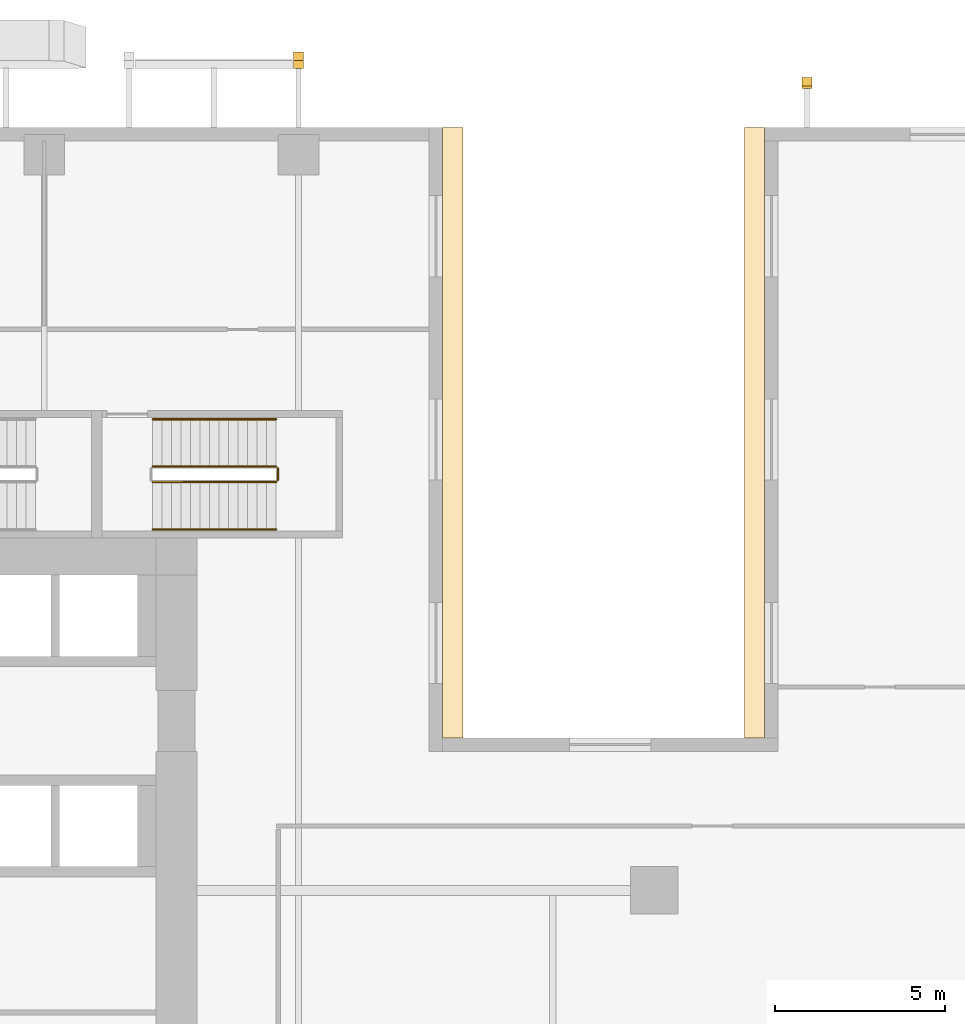
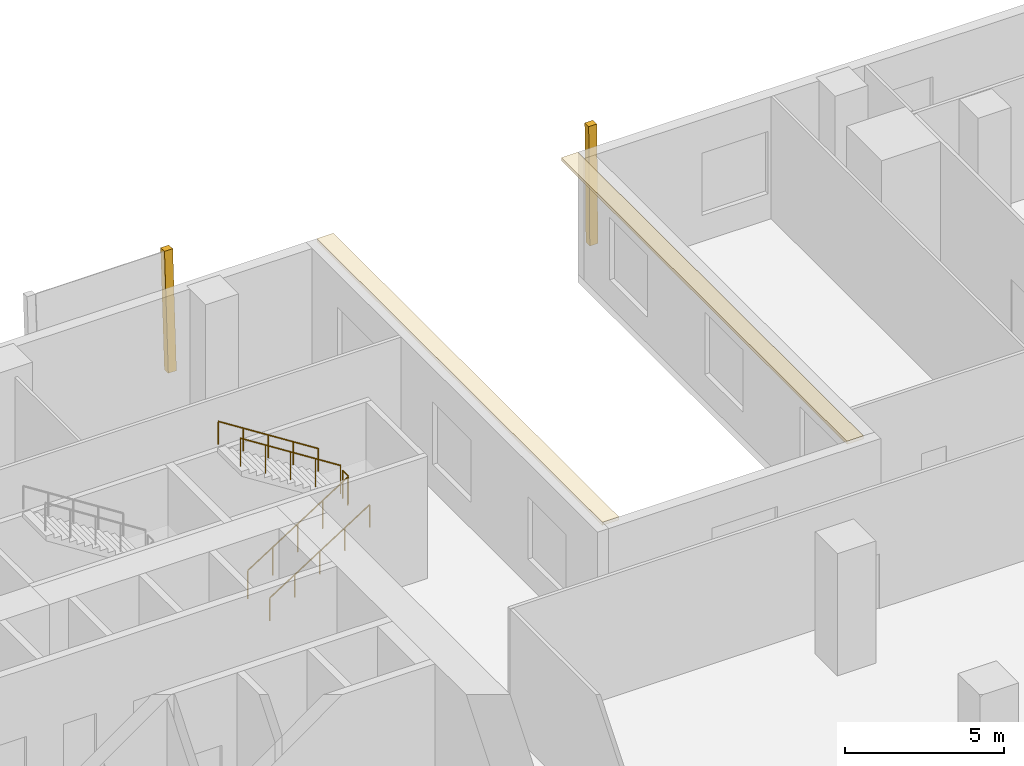
# One storey, part 20 of 22: 5 railings, 4 coverings.
"""IFC4 building model written with IfcOpenShell, lengths in metres."""

from ifc_helpers import new_model, si_unit, direction, frame, origin, origin_2d, place, context, subcontext, project, spatial, polyline, circle, outline, extrude, source, transform, mapped, material, layer, layer_set, type_object, element, save


model = new_model("IFC4")

# Units and contexts
model_context = context("Model", 3, precision=1e-05, world=origin(), true_north=direction((0.0, 1.0)))
body_context = subcontext(model_context, "Body", "Model", "MODEL_VIEW")
ifc_project = project(units=[si_unit("LENGTHUNIT", "METRE"), si_unit("AREAUNIT", "SQUARE_METRE"), si_unit("VOLUMEUNIT", "CUBIC_METRE"), si_unit("PLANEANGLEUNIT", "RADIAN"), si_unit("MASSUNIT", "GRAM", prefix="KILO")], contexts=[model_context])

# Site, building, storey
site_placement = place(None, origin())
site = spatial("IfcSite", under=ifc_project, at=site_placement, CompositionType="ELEMENT")
building_placement = place(site_placement, origin())
building = spatial("IfcBuilding", under=site, at=building_placement, Name="Khomas Fold Tower", CompositionType="ELEMENT")
storey_placement = place(building_placement, frame((0.0, 0.0, 23.5)))
storey = spatial("IfcBuildingStorey", under=building, at=storey_placement, Name="L04", CompositionType="ELEMENT", Elevation=23.5)

# Coverings
ifc_material_1 = material(Name="Natural stone cladding", Category="masonry")
ifc_layer_1 = layer(ifc_material_1, 0.25)
ifc_layer_set_1 = layer_set([ifc_layer_1], Name="Natural stone cladding")
covering_type_1 = type_object("IfcCoveringType", Name="SK-Karibib marble stone mullion", PredefinedType="CLADDING", material=ifc_layer_set_1)
covering_1_placement = place(storey_placement, frame((27.14990234375, 55.97705078125, 4.550048828125), z_axis=(0.0, -0.998628761104, 0.052350716295), x_axis=(0.0, -0.052350716295, -0.998628761104)))
element("IfcCovering", 1, at=covering_1_placement, inside=storey, type_object=covering_type_1, Name="OUTER SKIN mullion L04 NM103-5", PredefinedType="CLADDING", context=body_context, shape_type="SweptSolid", body=[
    extrude(outline(polyline([(0.0, 0.0), (4.556296599245323, 0.0), (4.556296599245323, -0.2998046875), (0.0, -0.2998046875), (0.0, 0.0)])), origin(), (0.0, 0.0, -1.0), 0.25),
])
covering_2_placement = place(storey_placement, frame((42.14990234375, 55.22314453125, 4.550048828125), z_axis=(0.0, -0.999876441469, 0.015719471876), x_axis=(0.0, -0.015719471876, -0.999876441469)))
element("IfcCovering", 2, at=covering_2_placement, inside=storey, type_object=covering_type_1, Name="OUTER SKIN mullion L04 NM106-6", PredefinedType="CLADDING", context=body_context, shape_type="SweptSolid", body=[
    extrude(outline(polyline([(0.0, 0.0), (4.550611094948788, 0.0), (4.550611094948788, -0.2998046875), (0.0, -0.2998046875), (0.0, 0.0)])), origin(), (0.0, 0.0, -1.0), 0.25),
])
ifc_material_2 = material(Name="Natural stone cladding", Category="masonry")
ifc_layer_2 = layer(ifc_material_2, 0.1201171875)
ifc_layer_set_2 = layer_set([ifc_layer_2], Name="Natural stone cladding")
covering_type_2 = type_object("IfcCoveringType", Name="Notch soffit stone GN-SF", PredefinedType="CLADDING", material=ifc_layer_set_2)
shared_shape_1 = source(origin(), body_context, "Body", "SweptSolid", [
    extrude(outline(polyline([(40.14990234375, 54.0), (40.14990234375, 36.0), (40.75, 36.0), (40.75, 54.0), (40.14990234375, 54.0)])), origin(), (0.0, 0.0, 1.0), 0.119873046875),
])
covering_3_placement = place(storey_placement, frame((0.0, 0.0, 4.580078125)))
element("IfcCovering", 3, at=covering_3_placement, inside=storey, type_object=covering_type_2, Name="Notch soffit stone", PredefinedType="CLADDING", context=body_context, shape_type="MappedRepresentation", body=[
    mapped(shared_shape_1, transform((0.0, 0.0, 0.0))),
])
shared_shape_2 = source(origin(), body_context, "Body", "SweptSolid", [
    extrude(outline(polyline([(31.85009765625, 36.0), (31.85009765625, 54.0), (31.25, 54.0), (31.25, 36.0), (31.85009765625, 36.0)])), origin(), (0.0, 0.0, 1.0), 0.119873046875),
])
covering_4_placement = place(storey_placement, frame((0.0, 0.0, 4.580078125)))
element("IfcCovering", 4, at=covering_4_placement, inside=storey, type_object=covering_type_2, Name="Notch soffit stone", PredefinedType="CLADDING", context=body_context, shape_type="MappedRepresentation", body=[
    mapped(shared_shape_2, transform((0.0, 0.0, 0.0))),
])

# Railings
ifc_material_3 = material(Name="Steel balustrade", Category="steel")
railing_type_1 = type_object("IfcRailingType", Name="Stair guard", PredefinedType="GUARDRAIL", material=ifc_material_3)
shared_shape_3 = source(origin(), body_context, "Body", "SweptSolid", [
    extrude(circle(Radius=0.02392578125, at=origin_2d()), frame((0.0, 0.0, 1.076171875), z_axis=(0.0, 1.0, 0.0), x_axis=(-1.0, 0.0, 0.0)), (0.0, 0.0, 1.0), 0.349853515625),
    extrude(circle(Radius=0.02099609375, at=origin_2d()), origin(), (0.0, 0.0, 1.0), 1.052001953125),
    extrude(circle(Radius=0.02099609375, at=origin_2d()), frame((0.0, 0.349853515625, 0.0)), (0.0, 0.0, 1.0), 1.052001953125),
])
railing_1_placement = place(storey_placement, frame((26.389892578125, 43.60009765625, 2.5)))
element("IfcRailing", 5, at=railing_1_placement, inside=storey, type_object=railing_type_1, Name="L04 ST3 stair guard 2", PredefinedType="GUARDRAIL", context=body_context, shape_type="MappedRepresentation", body=[
    mapped(shared_shape_3, transform((0.0, 0.0, 0.0))),
])
shared_shape_4 = source(origin(), body_context, "Body", "SweptSolid", [
    extrude(circle(Radius=0.02392578125, at=origin_2d()), frame((0.0, 0.0, 1.076171875), z_axis=(0.843127859045, 0.0, 0.537713132908), x_axis=(0.0, 1.0, 0.0)), (0.0, 0.0, 1.0), 4.3173828125),
    extrude(circle(Radius=0.02099609375, at=origin_2d()), origin(), (0.0, 0.0, 1.0), 1.052001953125),
    extrude(circle(Radius=0.02099609375, at=origin_2d()), frame((0.91015625, 0.0, 0.580322265625)), (0.0, 0.0, 1.0), 1.052001953125),
    extrude(circle(Radius=0.02099609375, at=origin_2d()), frame((1.820068359375, 0.0, 1.16064453125)), (0.0, 0.0, 1.0), 1.052001953125),
    extrude(circle(Radius=0.02099609375, at=origin_2d()), frame((2.72998046875, 0.0, 1.7412109375)), (0.0, 0.0, 1.0), 1.052001953125),
    extrude(circle(Radius=0.02099609375, at=origin_2d()), frame((3.64013671875, 0.0, 2.321533203125)), (0.0, 0.0, 1.0), 1.052001953125),
])
railing_2_placement = place(storey_placement, frame((22.699951171875, 43.550048828125, 0.178466796875)))
element("IfcRailing", 6, at=railing_2_placement, inside=storey, type_object=railing_type_1, Name="L04 ST3 stair guard 1", PredefinedType="GUARDRAIL", context=body_context, shape_type="MappedRepresentation", body=[
    mapped(shared_shape_4, transform((0.0, 0.0, 0.0))),
])
shared_shape_5 = source(origin(), body_context, "Body", "SweptSolid", [
    extrude(circle(Radius=0.02392578125, at=origin_2d()), frame((0.0, 0.0, 1.076171875), z_axis=(-0.843127859045, 0.0, 0.537713132908), x_axis=(0.0, -1.0, 0.0)), (0.0, 0.0, 1.0), 4.3173828125),
    extrude(circle(Radius=0.02099609375, at=origin_2d()), origin(), (0.0, 0.0, 1.0), 1.052001953125),
    extrude(circle(Radius=0.02099609375, at=origin_2d()), frame((-0.91015625, 0.0, 0.580322265625)), (0.0, 0.0, 1.0), 1.052001953125),
    extrude(circle(Radius=0.02099609375, at=origin_2d()), frame((-1.820068359375, 0.0, 1.16064453125)), (0.0, 0.0, 1.0), 1.052001953125),
    extrude(circle(Radius=0.02099609375, at=origin_2d()), frame((-2.72998046875, 0.0, 1.7412109375)), (0.0, 0.0, 1.0), 1.052001953125),
    extrude(circle(Radius=0.02099609375, at=origin_2d()), frame((-3.64013671875, 0.0, 2.321533203125)), (0.0, 0.0, 1.0), 1.052001953125),
])
railing_3_placement = place(storey_placement, frame((26.340087890625, 44.0, 2.678466796875)))
element("IfcRailing", 7, at=railing_3_placement, inside=storey, type_object=railing_type_1, Name="L04 ST3 stair guard 3", PredefinedType="GUARDRAIL", context=body_context, shape_type="MappedRepresentation", body=[
    mapped(shared_shape_5, transform((0.0, 0.0, 0.0))),
])
ifc_material_4 = material(Name="Steel handrail", Category="steel")
railing_type_2 = type_object("IfcRailingType", Name="Stair handrail", PredefinedType="HANDRAIL", material=ifc_material_4)
shared_shape_6 = source(origin(), body_context, "Body", "SweptSolid", [
    extrude(circle(Radius=0.02392578125, at=origin_2d()), frame((0.0, 0.0, 0.8759765625), z_axis=(0.843127859045, 0.0, 0.537713132908), x_axis=(0.0, 1.0, 0.0)), (0.0, 0.0, 1.0), 4.3173828125),
    extrude(circle(Radius=0.02099609375, at=origin_2d()), origin(), (0.0, 0.0, 1.0), 0.851806640625),
    extrude(circle(Radius=0.02099609375, at=origin_2d()), frame((0.91015625, 0.0, 0.580322265625)), (0.0, 0.0, 1.0), 0.851806640625),
    extrude(circle(Radius=0.02099609375, at=origin_2d()), frame((1.820068359375, 0.0, 1.16064453125)), (0.0, 0.0, 1.0), 0.851806640625),
    extrude(circle(Radius=0.02099609375, at=origin_2d()), frame((2.72998046875, 0.0, 1.7412109375)), (0.0, 0.0, 1.0), 0.851806640625),
    extrude(circle(Radius=0.02099609375, at=origin_2d()), frame((3.64013671875, 0.0, 2.321533203125)), (0.0, 0.0, 1.0), 0.851806640625),
])
railing_4_placement = place(storey_placement, frame((22.699951171875, 42.14990234375, 0.178466796875)))
element("IfcRailing", 8, at=railing_4_placement, inside=storey, type_object=railing_type_2, Name="L04 ST3 stair handrail 1", PredefinedType="HANDRAIL", context=body_context, shape_type="MappedRepresentation", body=[
    mapped(shared_shape_6, transform((0.0, 0.0, 0.0))),
])
shared_shape_7 = source(origin(), body_context, "Body", "SweptSolid", [
    extrude(circle(Radius=0.02392578125, at=origin_2d()), frame((0.0, 0.0, 0.8759765625), z_axis=(-0.843127859045, 0.0, 0.537713132908), x_axis=(0.0, -1.0, 0.0)), (0.0, 0.0, 1.0), 4.3173828125),
    extrude(circle(Radius=0.02099609375, at=origin_2d()), origin(), (0.0, 0.0, 1.0), 0.851806640625),
    extrude(circle(Radius=0.02099609375, at=origin_2d()), frame((-0.91015625, 0.0, 0.580322265625)), (0.0, 0.0, 1.0), 0.851806640625),
    extrude(circle(Radius=0.02099609375, at=origin_2d()), frame((-1.820068359375, 0.0, 1.16064453125)), (0.0, 0.0, 1.0), 0.851806640625),
    extrude(circle(Radius=0.02099609375, at=origin_2d()), frame((-2.72998046875, 0.0, 1.7412109375)), (0.0, 0.0, 1.0), 0.851806640625),
    extrude(circle(Radius=0.02099609375, at=origin_2d()), frame((-3.64013671875, 0.0, 2.321533203125)), (0.0, 0.0, 1.0), 0.851806640625),
])
railing_5_placement = place(storey_placement, frame((26.340087890625, 45.39990234375, 2.678466796875)))
element("IfcRailing", 9, at=railing_5_placement, inside=storey, type_object=railing_type_2, Name="L04 ST3 stair handrail 2", PredefinedType="HANDRAIL", context=body_context, shape_type="MappedRepresentation", body=[
    mapped(shared_shape_7, transform((0.0, 0.0, 0.0))),
])

save(model, "model.ifc")
